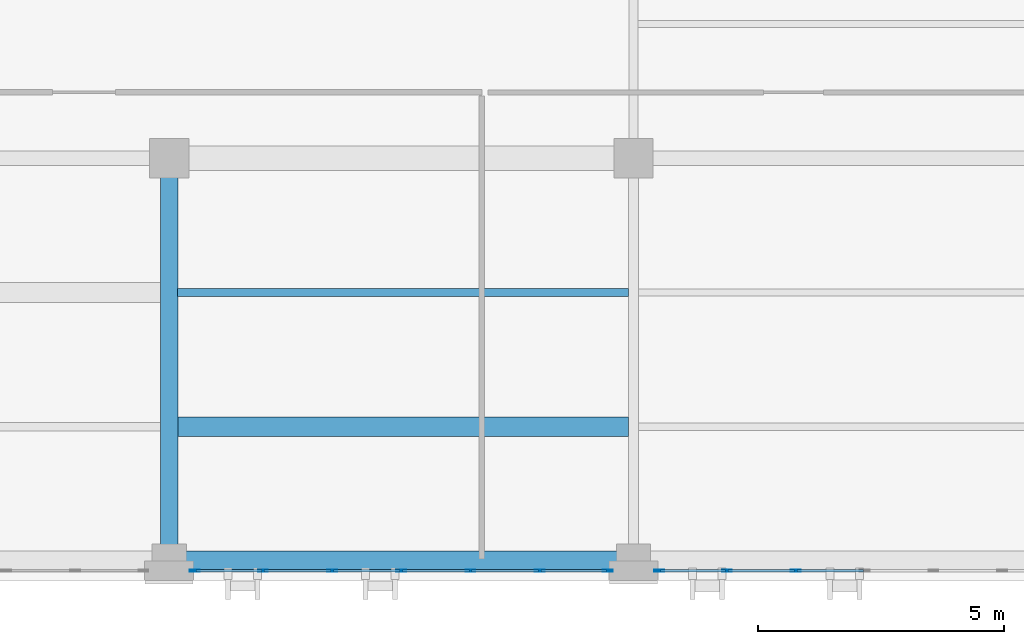
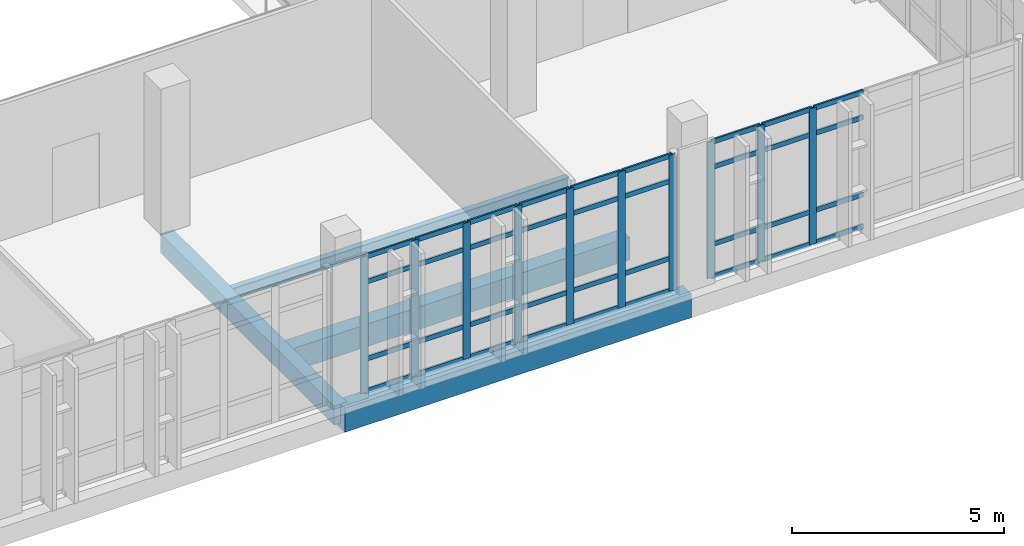
# One storey, part 45 of 158: 46 members, 4 beams, 2 elements without a shape of their own.
"""IFC4 building model written with IfcOpenShell, lengths in metres."""

from ifc_helpers import new_model, si_unit, direction, frame, origin, origin_2d, place, context, subcontext, project, spatial, rectangle, hollow_rectangle, i_section, extrude, material, layer, layer_set, material_profile, profile_set, type_object, element, aggregate, save


model = new_model("IFC4")

# Units and contexts
model_context = context("Model", 3, precision=1e-05, world=origin(), true_north=direction((0.0, 1.0)))
body_context = subcontext(model_context, "Body", "Model", "MODEL_VIEW")
ifc_project = project(units=[si_unit("LENGTHUNIT", "METRE"), si_unit("AREAUNIT", "SQUARE_METRE"), si_unit("VOLUMEUNIT", "CUBIC_METRE"), si_unit("PLANEANGLEUNIT", "RADIAN"), si_unit("MASSUNIT", "GRAM", prefix="KILO")], contexts=[model_context])

# Site, building, storey
site_placement = place(None, origin())
site = spatial("IfcSite", under=ifc_project, at=site_placement, CompositionType="ELEMENT")
building_placement = place(site_placement, origin())
building = spatial("IfcBuilding", under=site, at=building_placement, Name="Qalavern Law Courts", CompositionType="ELEMENT")
storey_placement = place(building_placement, frame((0.0, 0.0, 18.60009765625)))
storey = spatial("IfcBuildingStorey", under=building, at=storey_placement, Name="L04", CompositionType="ELEMENT", Elevation=18.60009765625)

# Curtain wall, members
ifc_material_1 = material(Name="Anodised aluminium and insulated glazing", Category="aluminium")
ifc_layer = layer(ifc_material_1, 0.18505859375)
ifc_layer_set = layer_set([ifc_layer], Name="Anodised aluminium and insulated glazing")
curtain_wall_type = type_object("IfcCurtainWallType", Name="ENV-CW-HALL", PredefinedType="USERDEFINED", material=ifc_layer_set)
curtain_wall_1_placement = place(storey_placement, origin())
curtain_wall_1 = element("IfcCurtainWall", 1, at=curtain_wall_1_placement, inside=storey, type_object=curtain_wall_type, Name="V2 unitised curtain wall L04 south 5", ObjectType="UNITISED CURTAIN WALL", PredefinedType="USERDEFINED")
ifc_material_2 = material(Name="Anodised aluminium", Category="aluminium")
ifc_material_profile_1 = material_profile(ifc_material_2, hollow_rectangle(XDim=0.048095703125, YDim=0.199951171875, WallThickness=0.00439453125, at=origin_2d()), Name="ALU MULLION 48x200")
ifc_profile_set_1 = profile_set([ifc_material_profile_1], Name="Anodised aluminium")
member_type_1 = type_object("IfcMemberType", Name="ENV-CWM-48x200", PredefinedType="MULLION", material=ifc_profile_set_1)
member_1_placement = place(storey_placement, frame((82.415283203125, 5.39990234375, 0.0), z_axis=(0.0, 0.0, 1.0), x_axis=(0.0, 1.0, 0.0)))
member_1 = element("IfcMember", 2, at=member_1_placement, type_object=member_type_1, Name="CW-02 mullion 1", PredefinedType="MULLION", context=body_context, shape_type="SweptSolid", body=[
    extrude(hollow_rectangle(XDim=0.048095703125, YDim=0.199951171875, WallThickness=0.00439453125, at=origin_2d()), origin(), (0.0, 0.0, 1.0), 3.9248046875),
])
member_2_placement = place(storey_placement, frame((83.800537109375, 5.39990234375, 0.0), z_axis=(0.0, 0.0, 1.0), x_axis=(0.0, 1.0, 0.0)))
member_2 = element("IfcMember", 3, at=member_2_placement, type_object=member_type_1, Name="CW-02 mullion 2", PredefinedType="MULLION", context=body_context, shape_type="SweptSolid", body=[
    extrude(hollow_rectangle(XDim=0.048095703125, YDim=0.199951171875, WallThickness=0.00439453125, at=origin_2d()), origin(), (0.0, 0.0, 1.0), 3.9248046875),
])
member_3_placement = place(storey_placement, frame((85.20947265625, 5.39990234375, 0.0), z_axis=(0.0, 0.0, 1.0), x_axis=(0.0, 1.0, 0.0)))
member_3 = element("IfcMember", 4, at=member_3_placement, type_object=member_type_1, Name="CW-02 mullion 3", PredefinedType="MULLION", context=body_context, shape_type="SweptSolid", body=[
    extrude(hollow_rectangle(XDim=0.048095703125, YDim=0.199951171875, WallThickness=0.00439453125, at=origin_2d()), origin(), (0.0, 0.0, 1.0), 3.9248046875),
])
member_4_placement = place(storey_placement, frame((86.61865234375, 5.39990234375, 0.0), z_axis=(0.0, 0.0, 1.0), x_axis=(0.0, 1.0, 0.0)))
member_4 = element("IfcMember", 5, at=member_4_placement, type_object=member_type_1, Name="CW-02 mullion 4", PredefinedType="MULLION", context=body_context, shape_type="SweptSolid", body=[
    extrude(hollow_rectangle(XDim=0.048095703125, YDim=0.199951171875, WallThickness=0.00439453125, at=origin_2d()), origin(), (0.0, 0.0, 1.0), 3.9248046875),
])
member_5_placement = place(storey_placement, frame((88.027587890625, 5.39990234375, 0.0), z_axis=(0.0, 0.0, 1.0), x_axis=(0.0, 1.0, 0.0)))
member_5 = element("IfcMember", 6, at=member_5_placement, type_object=member_type_1, Name="CW-02 mullion 5", PredefinedType="MULLION", context=body_context, shape_type="SweptSolid", body=[
    extrude(hollow_rectangle(XDim=0.048095703125, YDim=0.199951171875, WallThickness=0.00439453125, at=origin_2d()), origin(), (0.0, 0.0, 1.0), 3.9248046875),
])
member_6_placement = place(storey_placement, frame((89.436767578125, 5.39990234375, 0.0), z_axis=(0.0, 0.0, 1.0), x_axis=(0.0, 1.0, 0.0)))
member_6 = element("IfcMember", 7, at=member_6_placement, type_object=member_type_1, Name="CW-02 mullion 6", PredefinedType="MULLION", context=body_context, shape_type="SweptSolid", body=[
    extrude(hollow_rectangle(XDim=0.048095703125, YDim=0.199951171875, WallThickness=0.00439453125, at=origin_2d()), origin(), (0.0, 0.0, 1.0), 3.9248046875),
])
member_7_placement = place(storey_placement, frame((90.82177734375, 5.39990234375, 0.0), z_axis=(0.0, 0.0, 1.0), x_axis=(0.0, 1.0, 0.0)))
member_7 = element("IfcMember", 8, at=member_7_placement, type_object=member_type_1, Name="CW-02 mullion 7", PredefinedType="MULLION", context=body_context, shape_type="SweptSolid", body=[
    extrude(hollow_rectangle(XDim=0.048095703125, YDim=0.199951171875, WallThickness=0.00439453125, at=origin_2d()), origin(), (0.0, 0.0, 1.0), 3.9248046875),
])

curtain_wall_2_placement = place(storey_placement, origin())
curtain_wall_2 = element("IfcCurtainWall", 9, at=curtain_wall_2_placement, inside=storey, type_object=curtain_wall_type, Name="V2 unitised curtain wall L04 south 6", ObjectType="UNITISED CURTAIN WALL", PredefinedType="USERDEFINED")
member_8_placement = place(storey_placement, frame((91.86962890625, 5.39990234375, 0.0), z_axis=(0.0, 0.0, 1.0), x_axis=(0.0, 1.0, 0.0)))
member_8 = element("IfcMember", 10, at=member_8_placement, type_object=member_type_1, Name="CW-02 mullion 1", PredefinedType="MULLION", context=body_context, shape_type="SweptSolid", body=[
    extrude(hollow_rectangle(XDim=0.048095703125, YDim=0.199951171875, WallThickness=0.00439453125, at=origin_2d()), origin(), (0.0, 0.0, 1.0), 3.9248046875),
])
member_9_placement = place(storey_placement, frame((93.247314453125, 5.39990234375, 0.0), z_axis=(0.0, 0.0, 1.0), x_axis=(0.0, 1.0, 0.0)))
member_9 = element("IfcMember", 11, at=member_9_placement, type_object=member_type_1, Name="CW-02 mullion 2", PredefinedType="MULLION", context=body_context, shape_type="SweptSolid", body=[
    extrude(hollow_rectangle(XDim=0.048095703125, YDim=0.199951171875, WallThickness=0.00439453125, at=origin_2d()), origin(), (0.0, 0.0, 1.0), 3.9248046875),
])
member_10_placement = place(storey_placement, frame((94.648681640625, 5.39990234375, 0.0), z_axis=(0.0, 0.0, 1.0), x_axis=(0.0, 1.0, 0.0)))
member_10 = element("IfcMember", 12, at=member_10_placement, type_object=member_type_1, Name="CW-02 mullion 3", PredefinedType="MULLION", context=body_context, shape_type="SweptSolid", body=[
    extrude(hollow_rectangle(XDim=0.048095703125, YDim=0.199951171875, WallThickness=0.00439453125, at=origin_2d()), origin(), (0.0, 0.0, 1.0), 3.9248046875),
])

# Member
ifc_material_profile_2 = material_profile(ifc_material_2, hollow_rectangle(XDim=0.048095703125, YDim=0.139892578125, WallThickness=0.00390625, at=origin_2d()), Name="ALU TRANSOM 48x140")
ifc_profile_set_2 = profile_set([ifc_material_profile_2], Name="Anodised aluminium")
member_type_2 = type_object("IfcMemberType", Name="ENV-CWT-48x140", PredefinedType="USERDEFINED", material=ifc_profile_set_2)
member_11_placement = place(storey_placement, frame((82.439453125, 5.39990234375, 0.02392578125), z_axis=(1.0, 0.0, 0.0), x_axis=(0.0, 1.0, 0.0)))
member_11 = element("IfcMember", 13, at=member_11_placement, type_object=member_type_2, Name="CW-02 transom 1.1", ObjectType="TRANSOM", PredefinedType="USERDEFINED", context=body_context, shape_type="SweptSolid", body=[
    extrude(hollow_rectangle(XDim=0.048095703125, YDim=0.139892578125, WallThickness=0.00390625, at=origin_2d()), origin(), (0.0, 0.0, 1.0), 1.3369140625),
])

member_12_placement = place(storey_placement, frame((82.439453125, 5.39990234375, 0.949951171875), z_axis=(1.0, 0.0, 0.0), x_axis=(0.0, 1.0, 0.0)))
member_12 = element("IfcMember", 14, at=member_12_placement, type_object=member_type_2, Name="CW-02 transom 1.2", ObjectType="TRANSOM", PredefinedType="USERDEFINED", context=body_context, shape_type="SweptSolid", body=[
    extrude(hollow_rectangle(XDim=0.048095703125, YDim=0.139892578125, WallThickness=0.00390625, at=origin_2d()), origin(), (0.0, 0.0, 1.0), 1.3369140625),
])

member_13_placement = place(storey_placement, frame((82.439453125, 5.39990234375, 3.1748046875), z_axis=(1.0, 0.0, 0.0), x_axis=(0.0, 1.0, 0.0)))
member_13 = element("IfcMember", 15, at=member_13_placement, type_object=member_type_2, Name="CW-02 transom 1.3", ObjectType="TRANSOM", PredefinedType="USERDEFINED", context=body_context, shape_type="SweptSolid", body=[
    extrude(hollow_rectangle(XDim=0.048095703125, YDim=0.139892578125, WallThickness=0.00390625, at=origin_2d()), origin(), (0.0, 0.0, 1.0), 1.3369140625),
])

member_14_placement = place(storey_placement, frame((82.439453125, 5.39990234375, 3.90087890625), z_axis=(1.0, 0.0, 0.0), x_axis=(0.0, 1.0, 0.0)))
member_14 = element("IfcMember", 16, at=member_14_placement, type_object=member_type_2, Name="CW-02 transom 1.4", ObjectType="TRANSOM", PredefinedType="USERDEFINED", context=body_context, shape_type="SweptSolid", body=[
    extrude(hollow_rectangle(XDim=0.048095703125, YDim=0.139892578125, WallThickness=0.00390625, at=origin_2d()), origin(), (0.0, 0.0, 1.0), 1.3369140625),
])

member_15_placement = place(storey_placement, frame((83.824462890625, 5.39990234375, 0.02392578125), z_axis=(1.0, 0.0, 0.0), x_axis=(0.0, 1.0, 0.0)))
member_15 = element("IfcMember", 17, at=member_15_placement, type_object=member_type_2, Name="CW-02 transom 2.1", ObjectType="TRANSOM", PredefinedType="USERDEFINED", context=body_context, shape_type="SweptSolid", body=[
    extrude(hollow_rectangle(XDim=0.048095703125, YDim=0.139892578125, WallThickness=0.00390625, at=origin_2d()), origin(), (0.0, 0.0, 1.0), 1.361083984375),
])

member_16_placement = place(storey_placement, frame((83.824462890625, 5.39990234375, 0.949951171875), z_axis=(1.0, 0.0, 0.0), x_axis=(0.0, 1.0, 0.0)))
member_16 = element("IfcMember", 18, at=member_16_placement, type_object=member_type_2, Name="CW-02 transom 2.2", ObjectType="TRANSOM", PredefinedType="USERDEFINED", context=body_context, shape_type="SweptSolid", body=[
    extrude(hollow_rectangle(XDim=0.048095703125, YDim=0.139892578125, WallThickness=0.00390625, at=origin_2d()), origin(), (0.0, 0.0, 1.0), 1.361083984375),
])

member_17_placement = place(storey_placement, frame((83.824462890625, 5.39990234375, 3.1748046875), z_axis=(1.0, 0.0, 0.0), x_axis=(0.0, 1.0, 0.0)))
member_17 = element("IfcMember", 19, at=member_17_placement, type_object=member_type_2, Name="CW-02 transom 2.3", ObjectType="TRANSOM", PredefinedType="USERDEFINED", context=body_context, shape_type="SweptSolid", body=[
    extrude(hollow_rectangle(XDim=0.048095703125, YDim=0.139892578125, WallThickness=0.00390625, at=origin_2d()), origin(), (0.0, 0.0, 1.0), 1.361083984375),
])

member_18_placement = place(storey_placement, frame((83.824462890625, 5.39990234375, 3.90087890625), z_axis=(1.0, 0.0, 0.0), x_axis=(0.0, 1.0, 0.0)))
member_18 = element("IfcMember", 20, at=member_18_placement, type_object=member_type_2, Name="CW-02 transom 2.4", ObjectType="TRANSOM", PredefinedType="USERDEFINED", context=body_context, shape_type="SweptSolid", body=[
    extrude(hollow_rectangle(XDim=0.048095703125, YDim=0.139892578125, WallThickness=0.00390625, at=origin_2d()), origin(), (0.0, 0.0, 1.0), 1.361083984375),
])

member_19_placement = place(storey_placement, frame((85.2333984375, 5.39990234375, 0.02392578125), z_axis=(1.0, 0.0, 0.0), x_axis=(0.0, 1.0, 0.0)))
member_19 = element("IfcMember", 21, at=member_19_placement, type_object=member_type_2, Name="CW-02 transom 3.1", ObjectType="TRANSOM", PredefinedType="USERDEFINED", context=body_context, shape_type="SweptSolid", body=[
    extrude(hollow_rectangle(XDim=0.048095703125, YDim=0.139892578125, WallThickness=0.00390625, at=origin_2d()), origin(), (0.0, 0.0, 1.0), 1.361083984375),
])

member_20_placement = place(storey_placement, frame((85.2333984375, 5.39990234375, 0.949951171875), z_axis=(1.0, 0.0, 0.0), x_axis=(0.0, 1.0, 0.0)))
member_20 = element("IfcMember", 22, at=member_20_placement, type_object=member_type_2, Name="CW-02 transom 3.2", ObjectType="TRANSOM", PredefinedType="USERDEFINED", context=body_context, shape_type="SweptSolid", body=[
    extrude(hollow_rectangle(XDim=0.048095703125, YDim=0.139892578125, WallThickness=0.00390625, at=origin_2d()), origin(), (0.0, 0.0, 1.0), 1.361083984375),
])

member_21_placement = place(storey_placement, frame((85.2333984375, 5.39990234375, 3.1748046875), z_axis=(1.0, 0.0, 0.0), x_axis=(0.0, 1.0, 0.0)))
member_21 = element("IfcMember", 23, at=member_21_placement, type_object=member_type_2, Name="CW-02 transom 3.3", ObjectType="TRANSOM", PredefinedType="USERDEFINED", context=body_context, shape_type="SweptSolid", body=[
    extrude(hollow_rectangle(XDim=0.048095703125, YDim=0.139892578125, WallThickness=0.00390625, at=origin_2d()), origin(), (0.0, 0.0, 1.0), 1.361083984375),
])

member_22_placement = place(storey_placement, frame((85.2333984375, 5.39990234375, 3.90087890625), z_axis=(1.0, 0.0, 0.0), x_axis=(0.0, 1.0, 0.0)))
member_22 = element("IfcMember", 24, at=member_22_placement, type_object=member_type_2, Name="CW-02 transom 3.4", ObjectType="TRANSOM", PredefinedType="USERDEFINED", context=body_context, shape_type="SweptSolid", body=[
    extrude(hollow_rectangle(XDim=0.048095703125, YDim=0.139892578125, WallThickness=0.00390625, at=origin_2d()), origin(), (0.0, 0.0, 1.0), 1.361083984375),
])

member_23_placement = place(storey_placement, frame((86.642578125, 5.39990234375, 0.02392578125), z_axis=(1.0, 0.0, 0.0), x_axis=(0.0, 1.0, 0.0)))
member_23 = element("IfcMember", 25, at=member_23_placement, type_object=member_type_2, Name="CW-02 transom 4.1", ObjectType="TRANSOM", PredefinedType="USERDEFINED", context=body_context, shape_type="SweptSolid", body=[
    extrude(hollow_rectangle(XDim=0.048095703125, YDim=0.139892578125, WallThickness=0.00390625, at=origin_2d()), origin(), (0.0, 0.0, 1.0), 1.361083984375),
])

member_24_placement = place(storey_placement, frame((86.642578125, 5.39990234375, 0.949951171875), z_axis=(1.0, 0.0, 0.0), x_axis=(0.0, 1.0, 0.0)))
member_24 = element("IfcMember", 26, at=member_24_placement, type_object=member_type_2, Name="CW-02 transom 4.2", ObjectType="TRANSOM", PredefinedType="USERDEFINED", context=body_context, shape_type="SweptSolid", body=[
    extrude(hollow_rectangle(XDim=0.048095703125, YDim=0.139892578125, WallThickness=0.00390625, at=origin_2d()), origin(), (0.0, 0.0, 1.0), 1.361083984375),
])

member_25_placement = place(storey_placement, frame((86.642578125, 5.39990234375, 3.1748046875), z_axis=(1.0, 0.0, 0.0), x_axis=(0.0, 1.0, 0.0)))
member_25 = element("IfcMember", 27, at=member_25_placement, type_object=member_type_2, Name="CW-02 transom 4.3", ObjectType="TRANSOM", PredefinedType="USERDEFINED", context=body_context, shape_type="SweptSolid", body=[
    extrude(hollow_rectangle(XDim=0.048095703125, YDim=0.139892578125, WallThickness=0.00390625, at=origin_2d()), origin(), (0.0, 0.0, 1.0), 1.361083984375),
])

member_26_placement = place(storey_placement, frame((86.642578125, 5.39990234375, 3.90087890625), z_axis=(1.0, 0.0, 0.0), x_axis=(0.0, 1.0, 0.0)))
member_26 = element("IfcMember", 28, at=member_26_placement, type_object=member_type_2, Name="CW-02 transom 4.4", ObjectType="TRANSOM", PredefinedType="USERDEFINED", context=body_context, shape_type="SweptSolid", body=[
    extrude(hollow_rectangle(XDim=0.048095703125, YDim=0.139892578125, WallThickness=0.00390625, at=origin_2d()), origin(), (0.0, 0.0, 1.0), 1.361083984375),
])

member_27_placement = place(storey_placement, frame((88.051513671875, 5.39990234375, 0.02392578125), z_axis=(1.0, 0.0, 0.0), x_axis=(0.0, 1.0, 0.0)))
member_27 = element("IfcMember", 29, at=member_27_placement, type_object=member_type_2, Name="CW-02 transom 5.1", ObjectType="TRANSOM", PredefinedType="USERDEFINED", context=body_context, shape_type="SweptSolid", body=[
    extrude(hollow_rectangle(XDim=0.048095703125, YDim=0.139892578125, WallThickness=0.00390625, at=origin_2d()), origin(), (0.0, 0.0, 1.0), 1.361083984375),
])

member_28_placement = place(storey_placement, frame((88.051513671875, 5.39990234375, 0.949951171875), z_axis=(1.0, 0.0, 0.0), x_axis=(0.0, 1.0, 0.0)))
member_28 = element("IfcMember", 30, at=member_28_placement, type_object=member_type_2, Name="CW-02 transom 5.2", ObjectType="TRANSOM", PredefinedType="USERDEFINED", context=body_context, shape_type="SweptSolid", body=[
    extrude(hollow_rectangle(XDim=0.048095703125, YDim=0.139892578125, WallThickness=0.00390625, at=origin_2d()), origin(), (0.0, 0.0, 1.0), 1.361083984375),
])

member_29_placement = place(storey_placement, frame((88.051513671875, 5.39990234375, 3.1748046875), z_axis=(1.0, 0.0, 0.0), x_axis=(0.0, 1.0, 0.0)))
member_29 = element("IfcMember", 31, at=member_29_placement, type_object=member_type_2, Name="CW-02 transom 5.3", ObjectType="TRANSOM", PredefinedType="USERDEFINED", context=body_context, shape_type="SweptSolid", body=[
    extrude(hollow_rectangle(XDim=0.048095703125, YDim=0.139892578125, WallThickness=0.00390625, at=origin_2d()), origin(), (0.0, 0.0, 1.0), 1.361083984375),
])

member_30_placement = place(storey_placement, frame((88.051513671875, 5.39990234375, 3.90087890625), z_axis=(1.0, 0.0, 0.0), x_axis=(0.0, 1.0, 0.0)))
member_30 = element("IfcMember", 32, at=member_30_placement, type_object=member_type_2, Name="CW-02 transom 5.4", ObjectType="TRANSOM", PredefinedType="USERDEFINED", context=body_context, shape_type="SweptSolid", body=[
    extrude(hollow_rectangle(XDim=0.048095703125, YDim=0.139892578125, WallThickness=0.00390625, at=origin_2d()), origin(), (0.0, 0.0, 1.0), 1.361083984375),
])

member_31_placement = place(storey_placement, frame((89.460693359375, 5.39990234375, 0.02392578125), z_axis=(1.0, 0.0, 0.0), x_axis=(0.0, 1.0, 0.0)))
member_31 = element("IfcMember", 33, at=member_31_placement, type_object=member_type_2, Name="CW-02 transom 6.1", ObjectType="TRANSOM", PredefinedType="USERDEFINED", context=body_context, shape_type="SweptSolid", body=[
    extrude(hollow_rectangle(XDim=0.048095703125, YDim=0.139892578125, WallThickness=0.00390625, at=origin_2d()), origin(), (0.0, 0.0, 1.0), 1.3369140625),
])

member_32_placement = place(storey_placement, frame((89.460693359375, 5.39990234375, 0.949951171875), z_axis=(1.0, 0.0, 0.0), x_axis=(0.0, 1.0, 0.0)))
member_32 = element("IfcMember", 34, at=member_32_placement, type_object=member_type_2, Name="CW-02 transom 6.2", ObjectType="TRANSOM", PredefinedType="USERDEFINED", context=body_context, shape_type="SweptSolid", body=[
    extrude(hollow_rectangle(XDim=0.048095703125, YDim=0.139892578125, WallThickness=0.00390625, at=origin_2d()), origin(), (0.0, 0.0, 1.0), 1.3369140625),
])

member_33_placement = place(storey_placement, frame((89.460693359375, 5.39990234375, 3.1748046875), z_axis=(1.0, 0.0, 0.0), x_axis=(0.0, 1.0, 0.0)))
member_33 = element("IfcMember", 35, at=member_33_placement, type_object=member_type_2, Name="CW-02 transom 6.3", ObjectType="TRANSOM", PredefinedType="USERDEFINED", context=body_context, shape_type="SweptSolid", body=[
    extrude(hollow_rectangle(XDim=0.048095703125, YDim=0.139892578125, WallThickness=0.00390625, at=origin_2d()), origin(), (0.0, 0.0, 1.0), 1.3369140625),
])

member_34_placement = place(storey_placement, frame((89.460693359375, 5.39990234375, 3.90087890625), z_axis=(1.0, 0.0, 0.0), x_axis=(0.0, 1.0, 0.0)))
member_34 = element("IfcMember", 36, at=member_34_placement, type_object=member_type_2, Name="CW-02 transom 6.4", ObjectType="TRANSOM", PredefinedType="USERDEFINED", context=body_context, shape_type="SweptSolid", body=[
    extrude(hollow_rectangle(XDim=0.048095703125, YDim=0.139892578125, WallThickness=0.00390625, at=origin_2d()), origin(), (0.0, 0.0, 1.0), 1.3369140625),
])

aggregate(curtain_wall_1, [member_1, member_2, member_3, member_4, member_5, member_6, member_7, member_11, member_12, member_13, member_14, member_15, member_16, member_17, member_18, member_19, member_20, member_21, member_22, member_23, member_24, member_25, member_26, member_27, member_28, member_29, member_30, member_31, member_32, member_33, member_34])

member_35_placement = place(storey_placement, frame((91.893798828125, 5.39990234375, 0.02392578125), z_axis=(1.0, 0.0, 0.0), x_axis=(0.0, 1.0, 0.0)))
member_35 = element("IfcMember", 37, at=member_35_placement, type_object=member_type_2, Name="CW-02 transom 1.1", ObjectType="TRANSOM", PredefinedType="USERDEFINED", context=body_context, shape_type="SweptSolid", body=[
    extrude(hollow_rectangle(XDim=0.048095703125, YDim=0.139892578125, WallThickness=0.00390625, at=origin_2d()), origin(), (0.0, 0.0, 1.0), 1.329345703125),
])

member_36_placement = place(storey_placement, frame((91.893798828125, 5.39990234375, 0.949951171875), z_axis=(1.0, 0.0, 0.0), x_axis=(0.0, 1.0, 0.0)))
member_36 = element("IfcMember", 38, at=member_36_placement, type_object=member_type_2, Name="CW-02 transom 1.2", ObjectType="TRANSOM", PredefinedType="USERDEFINED", context=body_context, shape_type="SweptSolid", body=[
    extrude(hollow_rectangle(XDim=0.048095703125, YDim=0.139892578125, WallThickness=0.00390625, at=origin_2d()), origin(), (0.0, 0.0, 1.0), 1.329345703125),
])

member_37_placement = place(storey_placement, frame((91.893798828125, 5.39990234375, 3.1748046875), z_axis=(1.0, 0.0, 0.0), x_axis=(0.0, 1.0, 0.0)))
member_37 = element("IfcMember", 39, at=member_37_placement, type_object=member_type_2, Name="CW-02 transom 1.3", ObjectType="TRANSOM", PredefinedType="USERDEFINED", context=body_context, shape_type="SweptSolid", body=[
    extrude(hollow_rectangle(XDim=0.048095703125, YDim=0.139892578125, WallThickness=0.00390625, at=origin_2d()), origin(), (0.0, 0.0, 1.0), 1.329345703125),
])

member_38_placement = place(storey_placement, frame((91.893798828125, 5.39990234375, 3.90087890625), z_axis=(1.0, 0.0, 0.0), x_axis=(0.0, 1.0, 0.0)))
member_38 = element("IfcMember", 40, at=member_38_placement, type_object=member_type_2, Name="CW-02 transom 1.4", ObjectType="TRANSOM", PredefinedType="USERDEFINED", context=body_context, shape_type="SweptSolid", body=[
    extrude(hollow_rectangle(XDim=0.048095703125, YDim=0.139892578125, WallThickness=0.00390625, at=origin_2d()), origin(), (0.0, 0.0, 1.0), 1.329345703125),
])

member_39_placement = place(storey_placement, frame((93.271240234375, 5.39990234375, 0.02392578125), z_axis=(1.0, 0.0, 0.0), x_axis=(0.0, 1.0, 0.0)))
member_39 = element("IfcMember", 41, at=member_39_placement, type_object=member_type_2, Name="CW-02 transom 2.1", ObjectType="TRANSOM", PredefinedType="USERDEFINED", context=body_context, shape_type="SweptSolid", body=[
    extrude(hollow_rectangle(XDim=0.048095703125, YDim=0.139892578125, WallThickness=0.00390625, at=origin_2d()), origin(), (0.0, 0.0, 1.0), 1.353515625),
])

member_40_placement = place(storey_placement, frame((93.271240234375, 5.39990234375, 0.949951171875), z_axis=(1.0, 0.0, 0.0), x_axis=(0.0, 1.0, 0.0)))
member_40 = element("IfcMember", 42, at=member_40_placement, type_object=member_type_2, Name="CW-02 transom 2.2", ObjectType="TRANSOM", PredefinedType="USERDEFINED", context=body_context, shape_type="SweptSolid", body=[
    extrude(hollow_rectangle(XDim=0.048095703125, YDim=0.139892578125, WallThickness=0.00390625, at=origin_2d()), origin(), (0.0, 0.0, 1.0), 1.353515625),
])

member_41_placement = place(storey_placement, frame((93.271240234375, 5.39990234375, 3.1748046875), z_axis=(1.0, 0.0, 0.0), x_axis=(0.0, 1.0, 0.0)))
member_41 = element("IfcMember", 43, at=member_41_placement, type_object=member_type_2, Name="CW-02 transom 2.3", ObjectType="TRANSOM", PredefinedType="USERDEFINED", context=body_context, shape_type="SweptSolid", body=[
    extrude(hollow_rectangle(XDim=0.048095703125, YDim=0.139892578125, WallThickness=0.00390625, at=origin_2d()), origin(), (0.0, 0.0, 1.0), 1.353515625),
])

member_42_placement = place(storey_placement, frame((93.271240234375, 5.39990234375, 3.90087890625), z_axis=(1.0, 0.0, 0.0), x_axis=(0.0, 1.0, 0.0)))
member_42 = element("IfcMember", 44, at=member_42_placement, type_object=member_type_2, Name="CW-02 transom 2.4", ObjectType="TRANSOM", PredefinedType="USERDEFINED", context=body_context, shape_type="SweptSolid", body=[
    extrude(hollow_rectangle(XDim=0.048095703125, YDim=0.139892578125, WallThickness=0.00390625, at=origin_2d()), origin(), (0.0, 0.0, 1.0), 1.353515625),
])

member_43_placement = place(storey_placement, frame((94.6728515625, 5.39990234375, 0.02392578125), z_axis=(1.0, 0.0, 0.0), x_axis=(0.0, 1.0, 0.0)))
member_43 = element("IfcMember", 45, at=member_43_placement, type_object=member_type_2, Name="CW-02 transom 3.1", ObjectType="TRANSOM", PredefinedType="USERDEFINED", context=body_context, shape_type="SweptSolid", body=[
    extrude(hollow_rectangle(XDim=0.048095703125, YDim=0.139892578125, WallThickness=0.00390625, at=origin_2d()), origin(), (0.0, 0.0, 1.0), 1.353515625),
])

member_44_placement = place(storey_placement, frame((94.6728515625, 5.39990234375, 0.949951171875), z_axis=(1.0, 0.0, 0.0), x_axis=(0.0, 1.0, 0.0)))
member_44 = element("IfcMember", 46, at=member_44_placement, type_object=member_type_2, Name="CW-02 transom 3.2", ObjectType="TRANSOM", PredefinedType="USERDEFINED", context=body_context, shape_type="SweptSolid", body=[
    extrude(hollow_rectangle(XDim=0.048095703125, YDim=0.139892578125, WallThickness=0.00390625, at=origin_2d()), origin(), (0.0, 0.0, 1.0), 1.353515625),
])

member_45_placement = place(storey_placement, frame((94.6728515625, 5.39990234375, 3.1748046875), z_axis=(1.0, 0.0, 0.0), x_axis=(0.0, 1.0, 0.0)))
member_45 = element("IfcMember", 47, at=member_45_placement, type_object=member_type_2, Name="CW-02 transom 3.3", ObjectType="TRANSOM", PredefinedType="USERDEFINED", context=body_context, shape_type="SweptSolid", body=[
    extrude(hollow_rectangle(XDim=0.048095703125, YDim=0.139892578125, WallThickness=0.00390625, at=origin_2d()), origin(), (0.0, 0.0, 1.0), 1.353515625),
])

member_46_placement = place(storey_placement, frame((94.6728515625, 5.39990234375, 3.90087890625), z_axis=(1.0, 0.0, 0.0), x_axis=(0.0, 1.0, 0.0)))
member_46 = element("IfcMember", 48, at=member_46_placement, type_object=member_type_2, Name="CW-02 transom 3.4", ObjectType="TRANSOM", PredefinedType="USERDEFINED", context=body_context, shape_type="SweptSolid", body=[
    extrude(hollow_rectangle(XDim=0.048095703125, YDim=0.139892578125, WallThickness=0.00390625, at=origin_2d()), origin(), (0.0, 0.0, 1.0), 1.353515625),
])

aggregate(curtain_wall_2, [member_8, member_9, member_10, member_35, member_36, member_37, member_38, member_39, member_40, member_41, member_42, member_43, member_44, member_45, member_46])

# Beams
ifc_material_3 = material(Name="Concrete C35/45", Category="concrete")
ifc_material_profile_3 = material_profile(ifc_material_3, rectangle(XDim=0.35009765625, YDim=0.550048828125, at=origin_2d()), Name="RC 350x550")
ifc_profile_set_3 = profile_set([ifc_material_profile_3], Name="Concrete C35/45")
beam_type_1 = type_object("IfcBeamType", Name="STR-BM-RC350x550", PredefinedType="BEAM", material=ifc_profile_set_3)
beam_1_placement = place(storey_placement, frame((81.891357421875, 5.60009765625, -0.55517578125), z_axis=(0.0, 1.0, 0.0), x_axis=(-1.0, 0.0, 0.0)))
element("IfcBeam", 49, at=beam_1_placement, inside=storey, type_object=beam_type_1, Name="V2 Y-beam 6-1 L04", PredefinedType="BEAM", context=body_context, shape_type="SweptSolid", body=[
    extrude(rectangle(XDim=0.35009765625, YDim=0.550048828125, at=origin_2d()), origin(), (0.0, 0.0, 1.0), 8.199951171875),
])
ifc_material_4 = material(Name="Steel S355", Category="steel")
ifc_material_profile_4 = material_profile(ifc_material_4, i_section(OverallWidth=0.159912109375, OverallDepth=0.330078125, WebThickness=0.007568359375, FlangeThickness=0.011474609375, FilletRadius=0.01806640625, at=origin_2d()), Name="IPE 330")
ifc_profile_set_4 = profile_set([ifc_material_profile_4], Name="Steel S355")
beam_type_2 = type_object("IfcBeamType", Name="STR-JST-IPE330", PredefinedType="JOIST", material=ifc_profile_set_4)
beam_2_placement = place(storey_placement, frame((82.064453125, 11.066650390625, -0.445068359375), z_axis=(1.0, 0.0, 0.0), x_axis=(0.0, 1.0, 0.0)))
element("IfcBeam", 50, at=beam_2_placement, inside=storey, type_object=beam_type_2, Name="V2 secondary joist 6.1.2 L04", PredefinedType="JOIST", context=body_context, shape_type="SweptSolid", body=[
    extrude(i_section(OverallWidth=0.159912109375, OverallDepth=0.330078125, WebThickness=0.007568359375, FlangeThickness=0.011474609375, FilletRadius=0.01806640625, at=origin_2d()), origin(), (0.0, 0.0, 1.0), 9.183349609375),
])
ifc_material_profile_5 = material_profile(ifc_material_3, rectangle(XDim=0.39990234375, YDim=0.64990234375, at=origin_2d()), Name="RC 400x650")
ifc_profile_set_5 = profile_set([ifc_material_profile_5], Name="Concrete C35/45")
beam_type_3 = type_object("IfcBeamType", Name="STR-JST-RC400x650", PredefinedType="JOIST", material=ifc_profile_set_5)
beam_3_placement = place(storey_placement, frame((82.064453125, 8.333251953125, -0.60498046875), z_axis=(1.0, 0.0, 0.0), x_axis=(0.0, 1.0, 0.0)))
element("IfcBeam", 51, at=beam_3_placement, inside=storey, type_object=beam_type_3, Name="V2 secondary joist 6.1.1 L04", PredefinedType="JOIST", context=body_context, shape_type="SweptSolid", body=[
    extrude(rectangle(XDim=0.39990234375, YDim=0.64990234375, at=origin_2d()), origin(), (0.0, 0.0, 1.0), 9.183349609375),
])
ifc_material_5 = material(Name="Concrete C40/50", Category="concrete")
ifc_material_profile_6 = material_profile(ifc_material_5, rectangle(XDim=0.39990234375, YDim=0.699951171875, at=origin_2d()), Name="RC 400x700")
ifc_profile_set_6 = profile_set([ifc_material_profile_6], Name="Concrete C40/50")
beam_type_4 = type_object("IfcBeamType", Name="STR-SP-RC400x700", PredefinedType="SPANDREL", material=ifc_profile_set_6)
beam_4_placement = place(storey_placement, frame((81.891357421875, 5.60009765625, -0.630126953125), z_axis=(1.0, 0.0, 0.0), x_axis=(0.0, 1.0, 0.0)))
element("IfcBeam", 52, at=beam_4_placement, inside=storey, type_object=beam_type_4, Name="V2 X-beam 1-6 L04", PredefinedType="SPANDREL", context=body_context, shape_type="SweptSolid", body=[
    extrude(rectangle(XDim=0.39990234375, YDim=0.699951171875, at=origin_2d()), origin(), (0.0, 0.0, 1.0), 9.454345703125),
])

save(model, "model.ifc")
